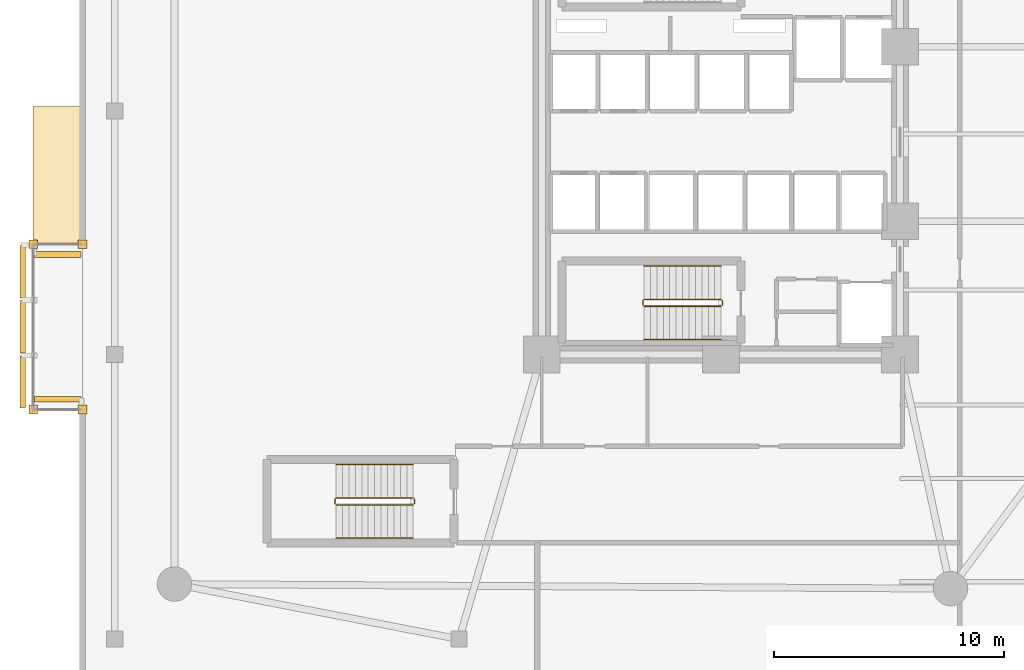
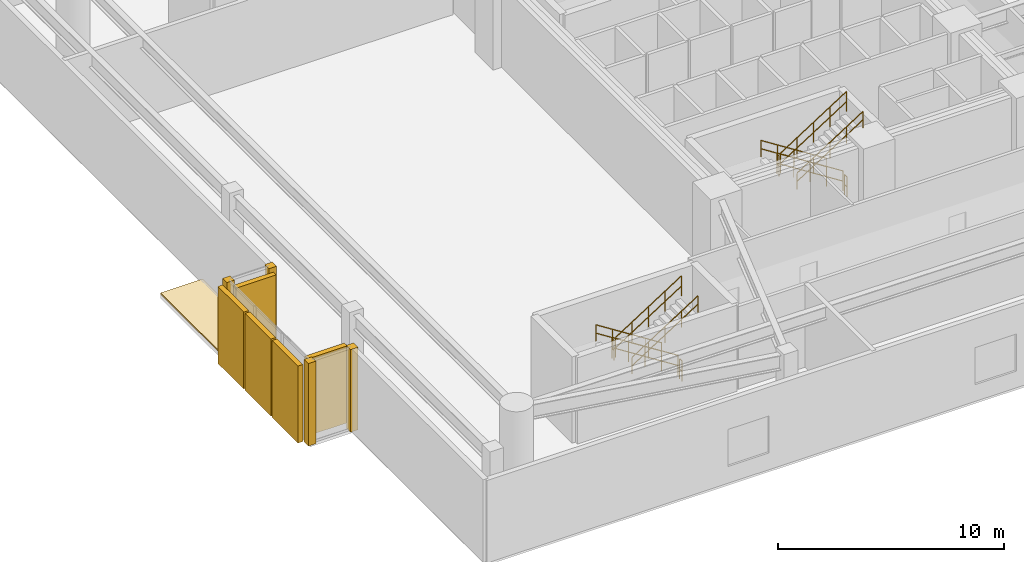
# One storey, part 13 of 15: 12 railings, 5 coverings, 5 shading devices.
"""IFC4 building model written with IfcOpenShell, lengths in metres."""

from ifc_helpers import new_model, si_unit, direction, frame, origin, origin_2d, place, context, subcontext, project, spatial, polyline, rectangle, circle, outline, extrude, material, layer, layer_set, type_object, element, save


model = new_model("IFC4")

# Units and contexts
model_context = context("Model", 3, precision=1e-05, world=origin(), true_north=direction((0.0, 1.0)))
body_context = subcontext(model_context, "Body", "Model", "MODEL_VIEW")
ifc_project = project(units=[si_unit("LENGTHUNIT", "METRE"), si_unit("AREAUNIT", "SQUARE_METRE"), si_unit("VOLUMEUNIT", "CUBIC_METRE"), si_unit("PLANEANGLEUNIT", "RADIAN"), si_unit("MASSUNIT", "GRAM", prefix="KILO")], contexts=[model_context])

# Site, building, storey
site_placement = place(None, origin())
site = spatial("IfcSite", under=ifc_project, at=site_placement, CompositionType="ELEMENT")
building_placement = place(site_placement, origin())
building = spatial("IfcBuilding", under=site, at=building_placement, Name="An Khanh Terracotta Commons", CompositionType="ELEMENT")
storey_placement = place(building_placement, frame((0.0, 0.0, 14.699951171875)))
storey = spatial("IfcBuildingStorey", under=building, at=storey_placement, Name="L04", CompositionType="ELEMENT", Elevation=14.699951171875)

# Coverings
ifc_material_1 = material(Name="Fired Terracotta Rainscreen Cladding", Category="masonry")
ifc_layer_1 = layer(ifc_material_1, 0.080078125, Name="Fired Terracotta Rainscreen Cladding")
ifc_layer_set_1 = layer_set([ifc_layer_1], Name="Fired Terracotta Rainscreen Cladding")
covering_type_1 = type_object("IfcCoveringType", Name="COV-JAMB-TERRA", PredefinedType="CLADDING", material=ifc_layer_set_1)
for number, where, z_axis, x_axis, name in (
    (1, (-0.550048828125, 19.199951171875, 0.0), (0.0, 0.0, 1.0), (1.0, 0.0, 0.0), "L04 CW-04 Curtain-Wall Jamb Closure JA"),
    (2, (-0.550048828125, 12.0, 0.0), (0.0, 0.0, 1.0), (1.0, 0.0, 0.0), "L04 CW-04 Curtain-Wall Jamb Closure JB"),
    (3, (1.60009765625, 12.0, 0.0), (0.0, 0.0, 1.0), (1.0, 0.0, 0.0), "L04 CW-04 Curtain-Wall Jamb Closure JA"),
    (4, (1.60009765625, 19.199951171875, 0.0), (0.0, 0.0, 1.0), (1.0, 0.0, 0.0), "L04 CW-04 Curtain-Wall Jamb Closure JB"),
):
    element("IfcCovering", number, at=place(storey_placement, frame(where, z_axis=z_axis, x_axis=x_axis)), inside=storey, type_object=covering_type_1, Name=name, PredefinedType="CLADDING", context=body_context, shape_type="SweptSolid", body=[
        extrude(rectangle(XDim=0.3798828125, YDim=0.3798828125, at=origin_2d()), origin(), (0.0, 0.0, 1.0), 4.449951171875),
    ])
ifc_material_2 = material(Name="Planted Garden Waterproofing Membrane")
ifc_layer_2 = layer(ifc_material_2, 0.080078125, Name="Planted Garden Waterproofing Membrane")
ifc_layer_set_2 = layer_set([ifc_layer_2], Name="Planted Garden Waterproofing Membrane")
covering_type_2 = type_object("IfcCoveringType", Name="COV-ROOFING-GREEN", PredefinedType="ROOFING", material=ifc_layer_set_2)
covering_placement = place(storey_placement, origin())
element("IfcCovering", 5, at=covering_placement, inside=storey, type_object=covering_type_2, Name="L04 Corner Box Roof Waterproofing (L03)", PredefinedType="ROOFING", context=body_context, shape_type="SweptSolid", body=[
    extrude(outline(polyline([(-0.550048828125, 25.199951171875), (1.60009765625, 25.199951171875), (1.60009765625, 19.219970703125), (-0.550048828125, 19.219970703125), (-0.550048828125, 25.199951171875)])), origin(), (0.0, 0.0, 1.0), 0.080078125),
])

# Railings
ifc_material_3 = material(Name="Brushed Stainless Steel 316", Category="steel")
railing_type_1 = type_object("IfcRailingType", Name="RAIL-HANDRAIL-900", PredefinedType="HANDRAIL", material=ifc_material_3)
railing_1_placement = place(storey_placement, frame((29.409912109375, 18.25, 0.178955078125)))
element("IfcRailing", 6, at=railing_1_placement, inside=storey, type_object=railing_type_1, Name="L04 ST-02 stair handrail 1", PredefinedType="HANDRAIL", context=body_context, shape_type="SweptSolid", body=[
    extrude(circle(Radius=0.02392578125, at=origin_2d()), frame((0.0, 0.0, 0.8759765625), z_axis=(-0.842762625749, 0.0, 0.538285385869), x_axis=(0.0, -1.0, 0.0)), (0.0, 0.0, 1.0), 3.98681640625),
    extrude(circle(Radius=0.02392578125, at=origin_2d()), frame((0.0, 0.0, 0.42578125), z_axis=(-0.842762625749, 0.0, 0.538285385869), x_axis=(0.0, -1.0, 0.0)), (0.0, 0.0, 1.0), 3.98681640625),
    extrude(circle(Radius=0.02099609375, at=origin_2d()), origin(), (0.0, 0.0, 1.0), 0.851806640625),
    extrude(circle(Radius=0.02099609375, at=origin_2d()), frame((-0.83984375, 0.0, 0.53662109375)), (0.0, 0.0, 1.0), 0.851806640625),
    extrude(circle(Radius=0.02099609375, at=origin_2d()), frame((-1.679931640625, 0.0, 1.072998046875)), (0.0, 0.0, 1.0), 0.851806640625),
    extrude(circle(Radius=0.02099609375, at=origin_2d()), frame((-2.52001953125, 0.0, 1.609375)), (0.0, 0.0, 1.0), 0.851806640625),
    extrude(circle(Radius=0.02099609375, at=origin_2d()), frame((-3.35986328125, 0.0, 2.14599609375)), (0.0, 0.0, 1.0), 0.851806640625),
])
railing_2_placement = place(storey_placement, frame((26.050048828125, 15.050048828125, 2.50390625)))
element("IfcRailing", 7, at=railing_2_placement, inside=storey, type_object=railing_type_1, Name="L04 ST-02 stair handrail 2", PredefinedType="HANDRAIL", context=body_context, shape_type="SweptSolid", body=[
    extrude(circle(Radius=0.02392578125, at=origin_2d()), frame((0.0, 0.0, 0.8759765625), z_axis=(0.842734844946, 0.0, 0.538328878209), x_axis=(0.0, 1.0, 0.0)), (0.0, 0.0, 1.0), 3.98681640625),
    extrude(circle(Radius=0.02392578125, at=origin_2d()), frame((0.0, 0.0, 0.42578125), z_axis=(0.842734844946, 0.0, 0.538328878209), x_axis=(0.0, 1.0, 0.0)), (0.0, 0.0, 1.0), 3.98681640625),
    extrude(circle(Radius=0.02099609375, at=origin_2d()), origin(), (0.0, 0.0, 1.0), 0.851806640625),
    extrude(circle(Radius=0.02099609375, at=origin_2d()), frame((0.83984375, 0.0, 0.53662109375)), (0.0, 0.0, 1.0), 0.851806640625),
    extrude(circle(Radius=0.02099609375, at=origin_2d()), frame((1.679931640625, 0.0, 1.0732421875)), (0.0, 0.0, 1.0), 0.851806640625),
    extrude(circle(Radius=0.02099609375, at=origin_2d()), frame((2.52001953125, 0.0, 1.609619140625)), (0.0, 0.0, 1.0), 0.851806640625),
    extrude(circle(Radius=0.02099609375, at=origin_2d()), frame((3.35986328125, 0.0, 2.146240234375)), (0.0, 0.0, 1.0), 0.851806640625),
])
railing_3_placement = place(storey_placement, frame((16.0, 9.60009765625, 0.178955078125)))
element("IfcRailing", 8, at=railing_3_placement, inside=storey, type_object=railing_type_1, Name="L04 ST-P1 stair handrail 1", PredefinedType="HANDRAIL", context=body_context, shape_type="SweptSolid", body=[
    extrude(circle(Radius=0.02392578125, at=origin_2d()), frame((0.0, 0.0, 0.8759765625), z_axis=(-0.842780368268, 0.0, 0.538257606414), x_axis=(0.0, -1.0, 0.0)), (0.0, 0.0, 1.0), 3.98681640625),
    extrude(circle(Radius=0.02392578125, at=origin_2d()), frame((0.0, 0.0, 0.42578125), z_axis=(-0.842780368268, 0.0, 0.538257606414), x_axis=(0.0, -1.0, 0.0)), (0.0, 0.0, 1.0), 3.98681640625),
    extrude(circle(Radius=0.02099609375, at=origin_2d()), origin(), (0.0, 0.0, 1.0), 0.851806640625),
    extrude(circle(Radius=0.02099609375, at=origin_2d()), frame((-0.840087890625, 0.0, 0.53662109375)), (0.0, 0.0, 1.0), 0.851806640625),
    extrude(circle(Radius=0.02099609375, at=origin_2d()), frame((-1.68017578125, 0.0, 1.072998046875)), (0.0, 0.0, 1.0), 0.851806640625),
    extrude(circle(Radius=0.02099609375, at=origin_2d()), frame((-2.52001953125, 0.0, 1.609375)), (0.0, 0.0, 1.0), 0.851806640625),
    extrude(circle(Radius=0.02099609375, at=origin_2d()), frame((-3.360107421875, 0.0, 2.14599609375)), (0.0, 0.0, 1.0), 0.851806640625),
])
railing_4_placement = place(storey_placement, frame((12.639892578125, 6.39990234375, 2.50390625)))
element("IfcRailing", 9, at=railing_4_placement, inside=storey, type_object=railing_type_1, Name="L04 ST-P1 stair handrail 2", PredefinedType="HANDRAIL", context=body_context, shape_type="SweptSolid", body=[
    extrude(circle(Radius=0.02392578125, at=origin_2d()), frame((0.0, 0.0, 0.8759765625), z_axis=(0.842752589747, 0.0, 0.538301098341), x_axis=(0.0, 1.0, 0.0)), (0.0, 0.0, 1.0), 3.987060546875),
    extrude(circle(Radius=0.02392578125, at=origin_2d()), frame((0.0, 0.0, 0.42578125), z_axis=(0.842752589747, 0.0, 0.538301098341), x_axis=(0.0, 1.0, 0.0)), (0.0, 0.0, 1.0), 3.987060546875),
    extrude(circle(Radius=0.02099609375, at=origin_2d()), origin(), (0.0, 0.0, 1.0), 0.851806640625),
    extrude(circle(Radius=0.02099609375, at=origin_2d()), frame((0.840087890625, 0.0, 0.53662109375)), (0.0, 0.0, 1.0), 0.851806640625),
    extrude(circle(Radius=0.02099609375, at=origin_2d()), frame((1.68017578125, 0.0, 1.0732421875)), (0.0, 0.0, 1.0), 0.851806640625),
    extrude(circle(Radius=0.02099609375, at=origin_2d()), frame((2.52001953125, 0.0, 1.609619140625)), (0.0, 0.0, 1.0), 0.851806640625),
    extrude(circle(Radius=0.02099609375, at=origin_2d()), frame((3.360107421875, 0.0, 2.146240234375)), (0.0, 0.0, 1.0), 0.851806640625),
])
ifc_material_4 = material(Name="Powder-Coated Steel S355J2", Category="steel")
railing_type_2 = type_object("IfcRailingType", Name="RAIL-STAIR-GUARD-1100", PredefinedType="BALUSTRADE", material=ifc_material_4)
railing_5_placement = place(storey_placement, frame((29.409912109375, 16.800048828125, 0.178955078125)))
element("IfcRailing", 10, at=railing_5_placement, inside=storey, type_object=railing_type_2, Name="L04 ST-02 stair guard 1", PredefinedType="BALUSTRADE", context=body_context, shape_type="SweptSolid", body=[
    extrude(circle(Radius=0.02392578125, at=origin_2d()), frame((0.0, 0.0, 1.076171875), z_axis=(-0.842762625749, 0.0, 0.538285385869), x_axis=(0.0, -1.0, 0.0)), (0.0, 0.0, 1.0), 3.98681640625),
    extrude(circle(Radius=0.02392578125, at=origin_2d()), frame((0.0, 0.0, 0.52587890625), z_axis=(-0.842762625749, 0.0, 0.538285385869), x_axis=(0.0, -1.0, 0.0)), (0.0, 0.0, 1.0), 3.98681640625),
    extrude(circle(Radius=0.02099609375, at=origin_2d()), origin(), (0.0, 0.0, 1.0), 1.052001953125),
    extrude(circle(Radius=0.02099609375, at=origin_2d()), frame((-0.83984375, 0.0, 0.53662109375)), (0.0, 0.0, 1.0), 1.052001953125),
    extrude(circle(Radius=0.02099609375, at=origin_2d()), frame((-1.679931640625, 0.0, 1.072998046875)), (0.0, 0.0, 1.0), 1.052001953125),
    extrude(circle(Radius=0.02099609375, at=origin_2d()), frame((-2.52001953125, 0.0, 1.609375)), (0.0, 0.0, 1.0), 1.052001953125),
    extrude(circle(Radius=0.02099609375, at=origin_2d()), frame((-3.35986328125, 0.0, 2.14599609375)), (0.0, 0.0, 1.0), 1.052001953125),
])
railing_6_placement = place(storey_placement, frame((26.0, 16.75, 2.324951171875)))
element("IfcRailing", 11, at=railing_6_placement, inside=storey, type_object=railing_type_2, Name="L04 ST-02 stair guard 2", PredefinedType="BALUSTRADE", context=body_context, shape_type="SweptSolid", body=[
    extrude(circle(Radius=0.02392578125, at=origin_2d()), frame((0.0, 0.0, 1.076171875), z_axis=(0.0, -1.0, 0.0), x_axis=(1.0, 0.0, 0.0)), (0.0, 0.0, 1.0), 0.199951171875),
    extrude(circle(Radius=0.02392578125, at=origin_2d()), frame((0.0, 0.0, 0.52587890625), z_axis=(0.0, -1.0, 0.0), x_axis=(1.0, 0.0, 0.0)), (0.0, 0.0, 1.0), 0.199951171875),
    extrude(circle(Radius=0.02099609375, at=origin_2d()), origin(), (0.0, 0.0, 1.0), 1.052001953125),
    extrude(circle(Radius=0.02099609375, at=origin_2d()), frame((0.0, -0.199951171875, 0.0)), (0.0, 0.0, 1.0), 1.052001953125),
])
railing_7_placement = place(storey_placement, frame((26.050048828125, 16.5, 2.50390625)))
element("IfcRailing", 12, at=railing_7_placement, inside=storey, type_object=railing_type_2, Name="L04 ST-02 stair guard 3", PredefinedType="BALUSTRADE", context=body_context, shape_type="SweptSolid", body=[
    extrude(circle(Radius=0.02392578125, at=origin_2d()), frame((0.0, 0.0, 1.076171875), z_axis=(0.842734844946, 0.0, 0.538328878209), x_axis=(0.0, 1.0, 0.0)), (0.0, 0.0, 1.0), 3.98681640625),
    extrude(circle(Radius=0.02392578125, at=origin_2d()), frame((0.0, 0.0, 0.52587890625), z_axis=(0.842734844946, 0.0, 0.538328878209), x_axis=(0.0, 1.0, 0.0)), (0.0, 0.0, 1.0), 3.98681640625),
    extrude(circle(Radius=0.02099609375, at=origin_2d()), origin(), (0.0, 0.0, 1.0), 1.052001953125),
    extrude(circle(Radius=0.02099609375, at=origin_2d()), frame((0.83984375, 0.0, 0.53662109375)), (0.0, 0.0, 1.0), 1.052001953125),
    extrude(circle(Radius=0.02099609375, at=origin_2d()), frame((1.679931640625, 0.0, 1.0732421875)), (0.0, 0.0, 1.0), 1.052001953125),
    extrude(circle(Radius=0.02099609375, at=origin_2d()), frame((2.52001953125, 0.0, 1.609619140625)), (0.0, 0.0, 1.0), 1.052001953125),
    extrude(circle(Radius=0.02099609375, at=origin_2d()), frame((3.35986328125, 0.0, 2.146240234375)), (0.0, 0.0, 1.0), 1.052001953125),
])
railing_8_placement = place(storey_placement, frame((29.4599609375, 16.75, 0.0)))
element("IfcRailing", 13, at=railing_8_placement, inside=storey, type_object=railing_type_2, Name="L04 ST-02 stair guard 4", PredefinedType="BALUSTRADE", context=body_context, shape_type="SweptSolid", body=[
    extrude(circle(Radius=0.02392578125, at=origin_2d()), frame((0.0, 0.0, 1.076171875), z_axis=(0.0, -1.0, 0.0), x_axis=(1.0, 0.0, 0.0)), (0.0, 0.0, 1.0), 0.199951171875),
    extrude(circle(Radius=0.02392578125, at=origin_2d()), frame((0.0, 0.0, 0.52587890625), z_axis=(0.0, -1.0, 0.0), x_axis=(1.0, 0.0, 0.0)), (0.0, 0.0, 1.0), 0.199951171875),
    extrude(circle(Radius=0.02099609375, at=origin_2d()), origin(), (0.0, 0.0, 1.0), 1.052001953125),
    extrude(circle(Radius=0.02099609375, at=origin_2d()), frame((0.0, -0.199951171875, 0.0)), (0.0, 0.0, 1.0), 1.052001953125),
])
railing_9_placement = place(storey_placement, frame((16.0, 8.14990234375, 0.178955078125)))
element("IfcRailing", 14, at=railing_9_placement, inside=storey, type_object=railing_type_2, Name="L04 ST-P1 stair guard 1", PredefinedType="BALUSTRADE", context=body_context, shape_type="SweptSolid", body=[
    extrude(circle(Radius=0.02392578125, at=origin_2d()), frame((0.0, 0.0, 1.076171875), z_axis=(-0.842780368268, 0.0, 0.538257606414), x_axis=(0.0, -1.0, 0.0)), (0.0, 0.0, 1.0), 3.98681640625),
    extrude(circle(Radius=0.02392578125, at=origin_2d()), frame((0.0, 0.0, 0.52587890625), z_axis=(-0.842780368268, 0.0, 0.538257606414), x_axis=(0.0, -1.0, 0.0)), (0.0, 0.0, 1.0), 3.98681640625),
    extrude(circle(Radius=0.02099609375, at=origin_2d()), origin(), (0.0, 0.0, 1.0), 1.052001953125),
    extrude(circle(Radius=0.02099609375, at=origin_2d()), frame((-0.840087890625, 0.0, 0.53662109375)), (0.0, 0.0, 1.0), 1.052001953125),
    extrude(circle(Radius=0.02099609375, at=origin_2d()), frame((-1.68017578125, 0.0, 1.072998046875)), (0.0, 0.0, 1.0), 1.052001953125),
    extrude(circle(Radius=0.02099609375, at=origin_2d()), frame((-2.52001953125, 0.0, 1.609375)), (0.0, 0.0, 1.0), 1.052001953125),
    extrude(circle(Radius=0.02099609375, at=origin_2d()), frame((-3.360107421875, 0.0, 2.14599609375)), (0.0, 0.0, 1.0), 1.052001953125),
])
railing_10_placement = place(storey_placement, frame((12.590087890625, 8.10009765625, 2.324951171875)))
element("IfcRailing", 15, at=railing_10_placement, inside=storey, type_object=railing_type_2, Name="L04 ST-P1 stair guard 2", PredefinedType="BALUSTRADE", context=body_context, shape_type="SweptSolid", body=[
    extrude(circle(Radius=0.02392578125, at=origin_2d()), frame((0.0, 0.0, 1.076171875), z_axis=(0.0, -1.0, 0.0), x_axis=(1.0, 0.0, 0.0)), (0.0, 0.0, 1.0), 0.2001953125),
    extrude(circle(Radius=0.02392578125, at=origin_2d()), frame((0.0, 0.0, 0.52587890625), z_axis=(0.0, -1.0, 0.0), x_axis=(1.0, 0.0, 0.0)), (0.0, 0.0, 1.0), 0.2001953125),
    extrude(circle(Radius=0.02099609375, at=origin_2d()), origin(), (0.0, 0.0, 1.0), 1.052001953125),
    extrude(circle(Radius=0.02099609375, at=origin_2d()), frame((0.0, -0.2001953125, 0.0)), (0.0, 0.0, 1.0), 1.052001953125),
])
railing_11_placement = place(storey_placement, frame((12.639892578125, 7.85009765625, 2.50390625)))
element("IfcRailing", 16, at=railing_11_placement, inside=storey, type_object=railing_type_2, Name="L04 ST-P1 stair guard 3", PredefinedType="BALUSTRADE", context=body_context, shape_type="SweptSolid", body=[
    extrude(circle(Radius=0.02392578125, at=origin_2d()), frame((0.0, 0.0, 1.076171875), z_axis=(0.842752589747, 0.0, 0.538301098341), x_axis=(0.0, 1.0, 0.0)), (0.0, 0.0, 1.0), 3.987060546875),
    extrude(circle(Radius=0.02392578125, at=origin_2d()), frame((0.0, 0.0, 0.52587890625), z_axis=(0.842752589747, 0.0, 0.538301098341), x_axis=(0.0, 1.0, 0.0)), (0.0, 0.0, 1.0), 3.987060546875),
    extrude(circle(Radius=0.02099609375, at=origin_2d()), origin(), (0.0, 0.0, 1.0), 1.052001953125),
    extrude(circle(Radius=0.02099609375, at=origin_2d()), frame((0.840087890625, 0.0, 0.53662109375)), (0.0, 0.0, 1.0), 1.052001953125),
    extrude(circle(Radius=0.02099609375, at=origin_2d()), frame((1.68017578125, 0.0, 1.0732421875)), (0.0, 0.0, 1.0), 1.052001953125),
    extrude(circle(Radius=0.02099609375, at=origin_2d()), frame((2.52001953125, 0.0, 1.609619140625)), (0.0, 0.0, 1.0), 1.052001953125),
    extrude(circle(Radius=0.02099609375, at=origin_2d()), frame((3.360107421875, 0.0, 2.146240234375)), (0.0, 0.0, 1.0), 1.052001953125),
])
railing_12_placement = place(storey_placement, frame((16.050048828125, 8.10009765625, 0.0)))
element("IfcRailing", 17, at=railing_12_placement, inside=storey, type_object=railing_type_2, Name="L04 ST-P1 stair guard 4", PredefinedType="BALUSTRADE", context=body_context, shape_type="SweptSolid", body=[
    extrude(circle(Radius=0.02392578125, at=origin_2d()), frame((0.0, 0.0, 1.076171875), z_axis=(0.0, -1.0, 0.0), x_axis=(1.0, 0.0, 0.0)), (0.0, 0.0, 1.0), 0.2001953125),
    extrude(circle(Radius=0.02392578125, at=origin_2d()), frame((0.0, 0.0, 0.52587890625), z_axis=(0.0, -1.0, 0.0), x_axis=(1.0, 0.0, 0.0)), (0.0, 0.0, 1.0), 0.2001953125),
    extrude(circle(Radius=0.02099609375, at=origin_2d()), origin(), (0.0, 0.0, 1.0), 1.052001953125),
    extrude(circle(Radius=0.02099609375, at=origin_2d()), frame((0.0, -0.2001953125, 0.0)), (0.0, 0.0, 1.0), 1.052001953125),
])

# Shading devices
ifc_material_5 = material(Name="Warm Hardwood Timber-Finish Aluminium", Category="wood")
shading_device_type = type_object("IfcShadingDeviceType", Name="Shifted Box Timber-Toned Louvre Screen", PredefinedType="USERDEFINED", material=ifc_material_5)
for number, where, z_axis, x_axis, name in (
    (18, (-1.0, 18.0, 0.150146484375), (0.0, 0.0, 1.0), (0.0, -1.0, 0.0), "L04 Louvre Screen 1"),
    (19, (-1.0, 15.60009765625, 0.150146484375), (0.0, 0.0, 1.0), (0.0, -1.0, 0.0), "L04 Louvre Screen 2"),
    (20, (-1.0, 13.199951171875, 0.150146484375), (0.0, 0.0, 1.0), (0.0, -1.0, 0.0), "L04 Louvre Screen 3"),
):
    element("IfcShadingDevice", number, at=place(storey_placement, frame(where, z_axis=z_axis, x_axis=x_axis)), inside=storey, type_object=shading_device_type, Name=name, ObjectType="LOUVRE", PredefinedType="USERDEFINED", context=body_context, shape_type="SweptSolid", body=[
        extrude(rectangle(XDim=2.280029296875, YDim=0.25, at=origin_2d()), origin(), (0.0, 0.0, 1.0), 4.14990234375),
    ])
for number, where, z_axis, x_axis, name in (
    (21, (0.52490234375, 12.449951171875, 0.150146484375), (0.0, 0.0, 1.0), (-1.0, 0.0, 0.0), "L04 Louvre Screen 1"),
    (22, (0.52490234375, 18.75, 0.150146484375), (0.0, 0.0, 1.0), (1.0, 0.0, 0.0), "L04 Louvre Screen 1"),
):
    element("IfcShadingDevice", number, at=place(storey_placement, frame(where, z_axis=z_axis, x_axis=x_axis)), inside=storey, type_object=shading_device_type, Name=name, ObjectType="LOUVRE", PredefinedType="USERDEFINED", context=body_context, shape_type="SweptSolid", body=[
        extrude(rectangle(XDim=2.030029296875, YDim=0.25, at=origin_2d()), origin(), (0.0, 0.0, 1.0), 4.14990234375),
    ])

save(model, "model.ifc")
